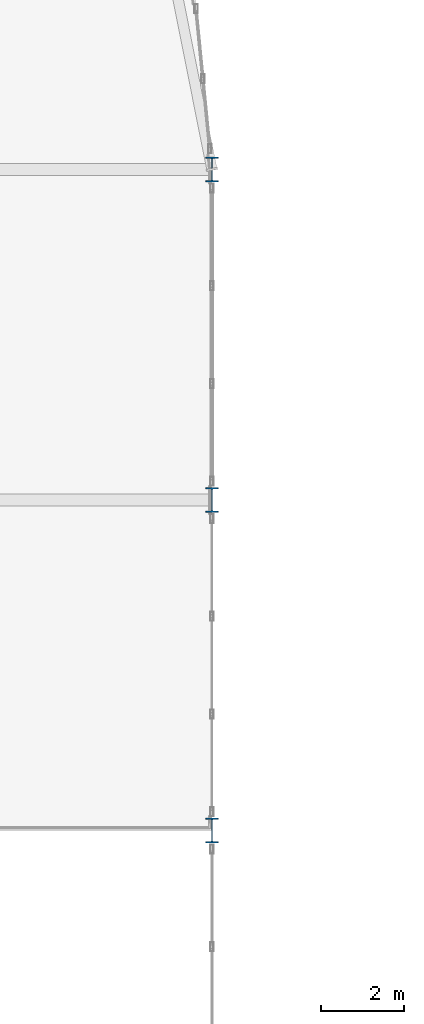
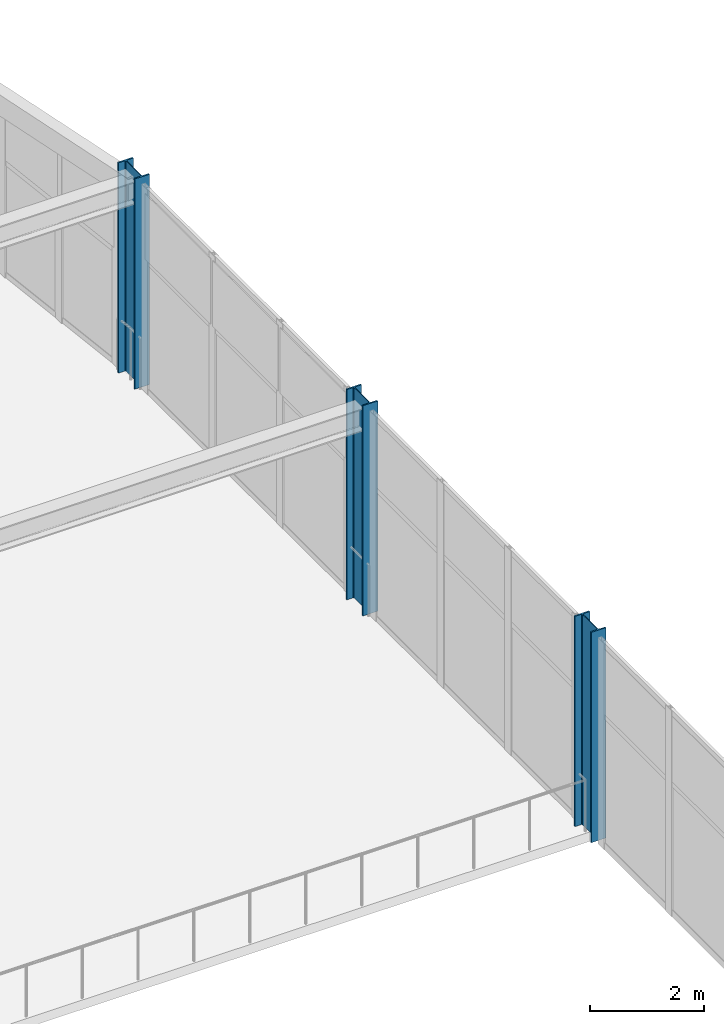
# One storey, part 11 of 105: 3 columns.
"""IFC4 building model written with IfcOpenShell, lengths in metres."""

from ifc_helpers import new_model, si_unit, direction, frame, origin, origin_2d, place, context, subcontext, project, spatial, i_section, extrude, material, material_profile, profile_set, type_object, element, save


model = new_model("IFC4")

# Units and contexts
model_context = context("Model", 3, precision=1e-05, world=origin(), true_north=direction((0.0, 1.0)))
body_context = subcontext(model_context, "Body", "Model", "MODEL_VIEW")
ifc_project = project(units=[si_unit("LENGTHUNIT", "METRE"), si_unit("AREAUNIT", "SQUARE_METRE"), si_unit("VOLUMEUNIT", "CUBIC_METRE"), si_unit("PLANEANGLEUNIT", "RADIAN"), si_unit("MASSUNIT", "GRAM", prefix="KILO")], contexts=[model_context])

# Site, building, storey
site_placement = place(None, origin())
site = spatial("IfcSite", under=ifc_project, at=site_placement, CompositionType="ELEMENT")
building_placement = place(site_placement, origin())
building = spatial("IfcBuilding", under=site, at=building_placement, Name="Marlcrest Central Station", CompositionType="ELEMENT")
storey_placement = place(building_placement, frame((0.0, 0.0, 15.0)))
storey = spatial("IfcBuildingStorey", under=building, at=storey_placement, Name="L03", CompositionType="ELEMENT", Elevation=15.0)

# Columns
ifc_material = material(Name="Steel S355", Category="steel")
ifc_material_profile = material_profile(ifc_material, i_section(OverallWidth=0.300048828125, OverallDepth=0.60009765625, WebThickness=0.015380859375, FlangeThickness=0.030029296875, FilletRadius=0.027099609375, at=origin_2d()), Name="HEB 600")
ifc_profile_set = profile_set([ifc_material_profile], Name="Steel S355")
column_type = type_object("IfcColumnType", Name="SC-05", PredefinedType="COLUMN", material=ifc_profile_set)
for number, where, z_axis, x_axis, name in (
    (1, (129.0, 94.5, 0.0), (0.0, 0.0, 1.0), (1.0, 0.0, 0.0), "col-SC-05-L03-0750"),
    (2, (129.0, 102.5, 0.0), (0.0, 0.0, 1.0), (1.0, 0.0, 0.0), "col-SC-05-L03-0768"),
    (3, (129.0, 110.5, 0.0), (0.0, 0.0, 1.0), (1.0, 0.0, 0.0), "col-SC-05-L03-0786"),
):
    element("IfcColumn", number, at=place(storey_placement, frame(where, z_axis=z_axis, x_axis=x_axis)), inside=storey, type_object=column_type, Name=name, PredefinedType="COLUMN", context=body_context, shape_type="SweptSolid", body=[
        extrude(i_section(OverallWidth=0.300048828125, OverallDepth=0.60009765625, WebThickness=0.015380859375, FlangeThickness=0.030029296875, FilletRadius=0.027099609375, at=origin_2d()), origin(), (0.0, 0.0, 1.0), 4.5),
    ])

save(model, "model.ifc")
